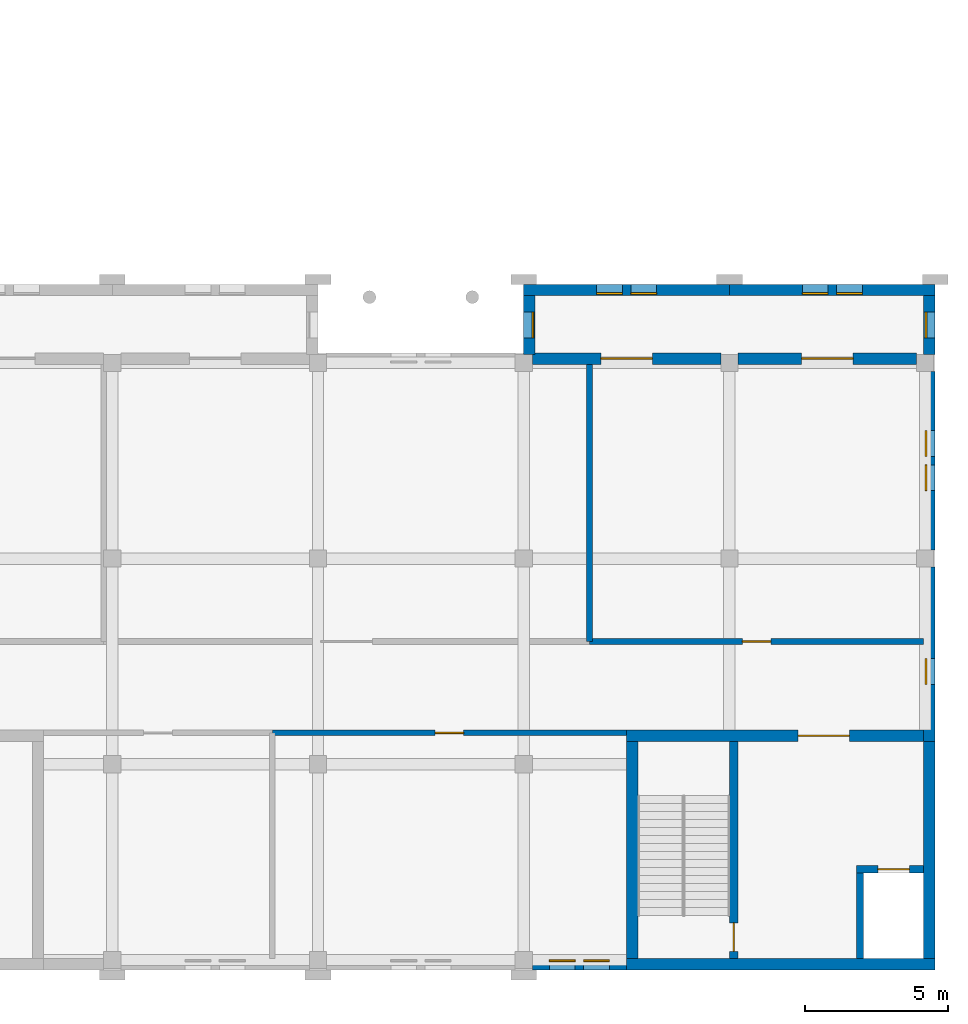
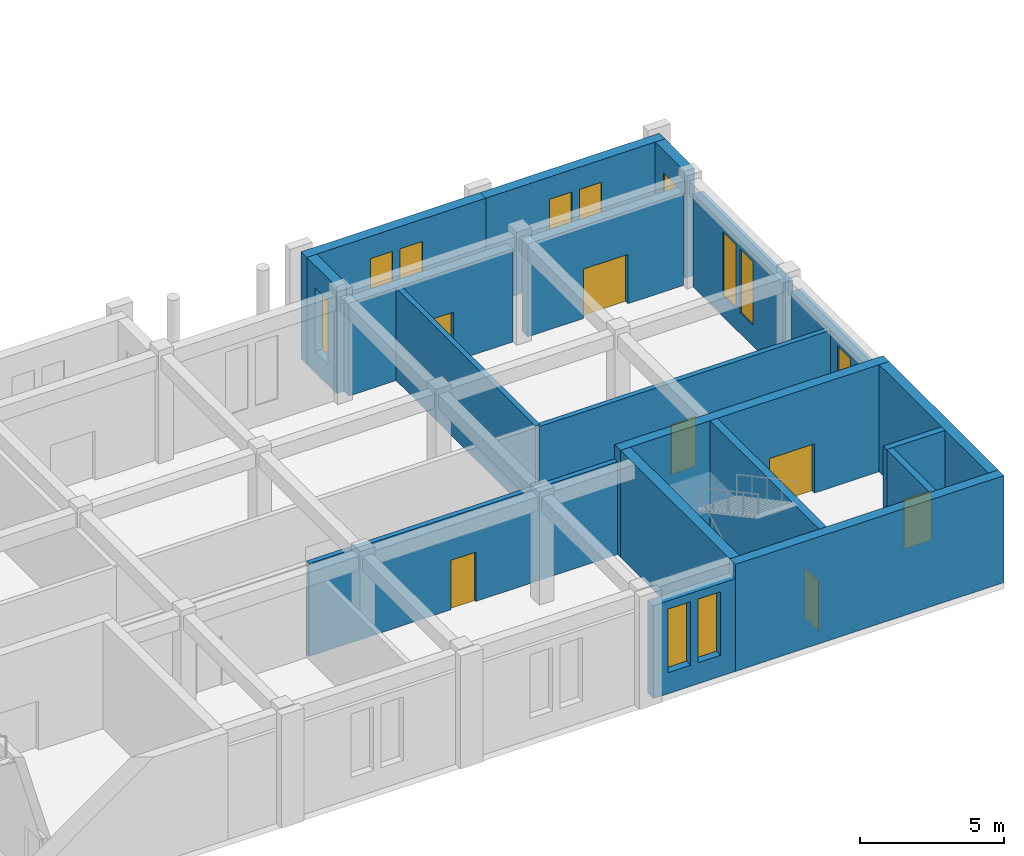
# One storey, part 139 of 149: 19 walls, 11 windows, 7 doors, 18 openings.
"""IFC4 building model written with IfcOpenShell, lengths in metres."""

import ifcopenshell
import ifcopenshell.guid

model = None  # the IFC model being written
_history = None  # IfcOwnerHistory: only IFC2X3 demands one
_inside = {}  # id of a spatial element -> (the spatial element, [elements in it])
_under = {}  # id of a project, library or spatial element -> (it, [spatial elements below it])
_declared = {}  # id of a project -> (the project, [libraries it declares])
_typed = {}  # id of a type object -> (the type object, [elements of that type])
_made_of = {}  # id of a material, layer set ... -> (it, [elements and type objects made of it])


def new_model(schema):
    """Start an empty IFC model of exactly this schema.

    Asked for "IFC4X3", IfcOpenShell would pick the latest addendum, in which some entities
    have other attributes; the version numbers below select the first issue.
    IFC2X3 requires an IfcOwnerHistory on every rooted entity: one is made here for all.
    """
    global model, _history
    if schema == "IFC4X3":
        model = ifcopenshell.file(schema_version=(4, 3, 0, 0))
    else:
        model = ifcopenshell.file(schema=schema)
    _inside.clear()
    _under.clear()
    _declared.clear()
    _typed.clear()
    _made_of.clear()
    _history = None
    if model.schema == "IFC2X3":
        org = make("IfcOrganization", Name="unknown")
        user = make(
            "IfcPersonAndOrganization",
            ThePerson=make("IfcPerson", FamilyName="unknown"),
            TheOrganization=org,
        )
        app = make(
            "IfcApplication",
            ApplicationDeveloper=org,
            Version="unknown",
            ApplicationFullName="unknown",
            ApplicationIdentifier="unknown",
        )
        _history = make(
            "IfcOwnerHistory",
            OwningUser=user,
            OwningApplication=app,
            ChangeAction="ADDED",
            CreationDate=0,
        )
    return model


def make(cls, **values):
    """One entity of the class cls with the attributes given. An attribute that is None is left unset."""
    return model.create_entity(
        cls, **{name: value for name, value in values.items() if value is not None}
    )


def rooted(cls, **values):
    """An entity with a GlobalId (a new one), such as an element, a storey or a relation."""
    return make(cls, GlobalId=ifcopenshell.guid.new(), OwnerHistory=_history, **values)


def si_unit(unit_type, name, prefix=None):
    """IfcSIUnit, for example si_unit("LENGTHUNIT", "METRE", prefix="MILLI")."""
    return make("IfcSIUnit", UnitType=unit_type, Prefix=prefix, Name=name)


def assignment(units):
    """IfcUnitAssignment: the units of a project."""
    return None if units is None else make("IfcUnitAssignment", Units=units)


def point(xyz):
    """IfcCartesianPoint."""
    return None if xyz is None else make("IfcCartesianPoint", Coordinates=xyz)


def direction(xyz):
    """IfcDirection."""
    return None if xyz is None else make("IfcDirection", DirectionRatios=xyz)


def frame(location, z_axis=None, x_axis=None):
    """IfcAxis2Placement3D, a coordinate frame: its origin and axes. An axis left out is left unset."""
    return make(
        "IfcAxis2Placement3D",
        Location=point(location),
        Axis=direction(z_axis),
        RefDirection=direction(x_axis),
    )


def frame_2d(location, x_axis=None):
    """IfcAxis2Placement2D, a coordinate frame in the plane: its origin and x axis."""
    return make(
        "IfcAxis2Placement2D", Location=point(location), RefDirection=direction(x_axis)
    )


def origin():
    """The frame at (0, 0, 0) with its axes left unset."""
    return frame((0.0, 0.0, 0.0))


def place(relative_to, where):
    """IfcLocalPlacement: puts the frame where relative to a parent placement (None: the world)."""
    return make(
        "IfcLocalPlacement", PlacementRelTo=relative_to, RelativePlacement=where
    )


def context(
    kind, dimensions, precision=None, world=None, true_north=None, identifier=None
):
    """IfcGeometricRepresentationContext, for example the 3D "Model" context."""
    return make(
        "IfcGeometricRepresentationContext",
        ContextIdentifier=identifier,
        ContextType=kind,
        CoordinateSpaceDimension=dimensions,
        Precision=precision,
        WorldCoordinateSystem=world,
        TrueNorth=true_north,
    )


def subcontext(parent, identifier, kind, view, scale=None):
    """IfcGeometricRepresentationSubContext, for example "Body" below "Model"."""
    return make(
        "IfcGeometricRepresentationSubContext",
        ContextIdentifier=identifier,
        ContextType=kind,
        ParentContext=parent,
        TargetScale=scale,
        TargetView=view,
    )


def project(units=None, contexts=None):
    """IfcProject with its units and contexts."""
    return rooted(
        "IfcProject",
        Name="project",
        RepresentationContexts=contexts,
        UnitsInContext=assignment(units),
    )


def spatial(cls, under=None, at=None, **own):
    """A site, building, storey or space (cls), placed at a placement, below another one or the project."""
    s = rooted(cls, ObjectPlacement=at, **own)
    if under is not None:
        _under.setdefault(under.id(), (under, []))[1].append(s)
    return s


def profile(cls, at=None, kind="AREA", **sizes):
    """A parametric profile (cls). Its sizes go by their IFC names, for example OverallWidth=200.0."""
    return make(cls, ProfileType=kind, Position=at, **sizes)


def rectangle(**sizes):
    """IfcRectangleProfileDef."""
    return profile("IfcRectangleProfileDef", **sizes)


def extrude(swept, where, along, depth):
    """IfcExtrudedAreaSolid: the profile swept, set in the frame where, extruded along a direction by depth."""
    return make(
        "IfcExtrudedAreaSolid",
        SweptArea=swept,
        Position=where,
        ExtrudedDirection=direction(along),
        Depth=depth,
    )


def shape(context_of_items, identifier, shape_type, items):
    """IfcShapeRepresentation: the items that make up one representation, for example the "Body"."""
    return make(
        "IfcShapeRepresentation",
        ContextOfItems=context_of_items,
        RepresentationIdentifier=identifier,
        RepresentationType=shape_type,
        Items=items,
    )


def material(Name=None, Category=None):
    """IfcMaterial."""
    return make("IfcMaterial", Name=Name, Category=Category)


def layer(
    of_material, thickness, ventilated=None, Name=None, Category=None, Priority=None
):
    """IfcMaterialLayer: one layer of a wall or slab, of a material (None: an air gap)."""
    return make(
        "IfcMaterialLayer",
        Material=of_material,
        LayerThickness=thickness,
        IsVentilated=ventilated,
        Name=Name,
        Category=Category,
        Priority=Priority,
    )


def layer_set(layers, Name=None):
    """IfcMaterialLayerSet."""
    return make("IfcMaterialLayerSet", MaterialLayers=layers, LayerSetName=Name)


def made_of(thing, what):
    """Note that an element or type object is made of a material, layer set ...; save() writes the relation."""
    if what is not None:
        _made_of.setdefault(what.id(), (what, []))[1].append(thing)
    return thing


def type_object(cls, material=None, **own):
    """A type object (cls), such as IfcWallType, which elements share."""
    return made_of(rooted(cls, **own), material)


def element(
    cls,
    number,
    at=None,
    inside=None,
    cuts=None,
    type_object=None,
    material=None,
    context=None,
    identifier="Body",
    shape_type=None,
    held_by="IfcProductDefinitionShape",
    body=None,
    shapes=None,
    **own,
):
    """One element of the class cls, such as IfcWall. Its Tag is "e" and its number.

    at: its placement. inside: the storey or other place that contains it. cuts: it is an
    opening in that element (IfcRelVoidsElement). A single representation is given by context,
    identifier, shape_type and body (its items); several are given by shapes. held_by: the class
    of the entity that holds the representations. save() writes the other relations.
    """
    e = rooted(cls, Tag="e%d" % number, ObjectPlacement=at, **own)
    if body is not None:
        shapes = [shape(context, identifier, shape_type, body)]
    if shapes is not None:
        e.Representation = make(held_by, Representations=shapes)
    if inside is not None:
        _inside.setdefault(inside.id(), (inside, []))[1].append(e)
    if cuts is not None:
        rooted(
            "IfcRelVoidsElement", RelatingBuildingElement=cuts, RelatedOpeningElement=e
        )
    if type_object is not None:
        _typed.setdefault(type_object.id(), (type_object, []))[1].append(e)
    return made_of(e, material)


def fill(opening, filler):
    """IfcRelFillsElement: the door or window that sits in an opening."""
    return rooted(
        "IfcRelFillsElement",
        RelatingOpeningElement=opening,
        RelatedBuildingElement=filler,
    )


def aggregate(whole, parts):
    """IfcRelAggregates: a whole, such as a stair, and the parts it consists of."""
    return rooted("IfcRelAggregates", RelatingObject=whole, RelatedObjects=parts)


def save(model, path):
    """Write the relations noted so far, then the file.

    IfcRelAggregates (storeys below a building ...), IfcRelContainedInSpatialStructure (elements
    in a storey), IfcRelDefinesByType, IfcRelAssociatesMaterial and IfcRelDeclares: one each for
    every whole, place, type object, material and project.
    """
    for whole, parts in _under.values():
        aggregate(whole, parts)
    for where, things in _inside.values():
        rooted(
            "IfcRelContainedInSpatialStructure",
            RelatedElements=things,
            RelatingStructure=where,
        )
    for kind, things in _typed.values():
        rooted("IfcRelDefinesByType", RelatedObjects=things, RelatingType=kind)
    for what, things in _made_of.values():
        rooted("IfcRelAssociatesMaterial", RelatedObjects=things, RelatingMaterial=what)
    for by, libraries in _declared.values():
        rooted("IfcRelDeclares", RelatingContext=by, RelatedDefinitions=libraries)
    model.write(path)


model = new_model("IFC4")

# Units and contexts
model_context = context("Model", 3, precision=1e-05, world=origin(), true_north=direction((0.0, 1.0)))
body_context = subcontext(model_context, "Body", "Model", "MODEL_VIEW")
ifc_project = project(units=[si_unit("LENGTHUNIT", "METRE"), si_unit("AREAUNIT", "SQUARE_METRE"), si_unit("VOLUMEUNIT", "CUBIC_METRE"), si_unit("PLANEANGLEUNIT", "RADIAN"), si_unit("MASSUNIT", "GRAM", prefix="KILO")], contexts=[model_context])

# Site, building, storey
site_placement = place(None, origin())
site = spatial("IfcSite", under=ifc_project, at=site_placement, CompositionType="ELEMENT")
building_placement = place(site_placement, origin())
building = spatial("IfcBuilding", under=site, at=building_placement, Name="Alderwick Market Hall", CompositionType="ELEMENT")
storey_placement = place(building_placement, frame((0.0, 0.0, 9.60009765625)))
storey = spatial("IfcBuildingStorey", under=building, at=storey_placement, Name="L01", CompositionType="ELEMENT", Elevation=9.60009765625)

# Wall, opening, door
ifc_material_1 = material(Name="Face brick", Category="masonry")
ifc_layer_1 = layer(ifc_material_1, 0.39990234375)
ifc_layer_set_1 = layer_set([ifc_layer_1], Name="Face brick")
wall_type_1 = type_object("IfcWallType", Name="C Brick Pier Wall 400", PredefinedType="SOLIDWALL", material=ifc_layer_set_1)
wall_1_placement = place(storey_placement, frame((216.300048828125, 28.60009765625, 0.0), z_axis=(0.0, 0.0, 1.0), x_axis=(1.0, 0.0, 0.0)))
wall_1 = element("IfcWall", 1, at=wall_1_placement, inside=storey, type_object=wall_type_1, Name="C.wall.L01.fac.front.09", PredefinedType="SOLIDWALL", context=body_context, shape_type="SweptSolid", body=[
    extrude(rectangle(XDim=6.599853515625, YDim=0.39990234375, at=frame_2d((3.2998046875, 0.0))), origin(), (0.0, 0.0, 1.0), 3.949951171875),
])
opening_1_placement = place(wall_1_placement, frame((2.39990234375, 0.0, 0.0)))
opening_1 = element("IfcOpeningElement", 2, at=opening_1_placement, cuts=wall_1, Name="Opening C-D012", PredefinedType="OPENING", context=body_context, shape_type="SweptSolid", body=[
    extrude(rectangle(XDim=1.800048828125, YDim=2.10009765625, at=frame_2d((0.89990234375, 1.050048828125))), frame((0.0, 0.2099609375, 0.0), z_axis=(0.0, -1.0, 0.0), x_axis=(1.0, 0.0, 0.0)), (0.0, 0.0, 1.0), 0.419921875),
])
ifc_material_2 = material(Name="Timber, solid core", Category="wood")
door_type_1 = type_object("IfcDoorType", Name="C Door Pair 1800x2100", OperationType="NOTDEFINED", PredefinedType="DOOR", material=ifc_material_2)
door_1_placement = place(opening_1_placement, origin())
door_1 = element("IfcDoor", 3, at=door_1_placement, inside=storey, type_object=door_type_1, Name="C.door.L01.012", OperationType="NOTDEFINED", OverallHeight=2.10009765625, OverallWidth=1.800048828125, PredefinedType="DOOR", context=body_context, shape_type="SweptSolid", body=[
    extrude(rectangle(XDim=1.800048828125, YDim=2.10009765625, at=frame_2d((0.89990234375, 1.050048828125))), frame((0.0, 0.02490234375, 0.0), z_axis=(0.0, -1.0, 0.0), x_axis=(1.0, 0.0, 0.0)), (0.0, 0.0, 1.0), 0.050048828125),
])
fill(opening_1, door_1)

wall_2_placement = place(storey_placement, frame((223.5, 28.60009765625, 0.0), z_axis=(0.0, 0.0, 1.0), x_axis=(1.0, 0.0, 0.0)))
wall_2 = element("IfcWall", 4, at=wall_2_placement, inside=storey, type_object=wall_type_1, Name="C.wall.L01.fac.front.10", PredefinedType="SOLIDWALL", context=body_context, shape_type="SweptSolid", body=[
    extrude(rectangle(XDim=6.25, YDim=0.39990234375, at=frame_2d((3.125, 0.0))), origin(), (0.0, 0.0, 1.0), 3.949951171875),
])
opening_2_placement = place(wall_2_placement, frame((2.22509765625, 0.0, 0.0)))
opening_2 = element("IfcOpeningElement", 5, at=opening_2_placement, cuts=wall_2, Name="Opening C-D013", PredefinedType="OPENING", context=body_context, shape_type="SweptSolid", body=[
    extrude(rectangle(XDim=1.800048828125, YDim=2.10009765625, at=frame_2d((0.89990234375, 1.050048828125))), frame((0.0, 0.2099609375, 0.0), z_axis=(0.0, -1.0, 0.0), x_axis=(1.0, 0.0, 0.0)), (0.0, 0.0, 1.0), 0.419921875),
])
door_2_placement = place(opening_2_placement, origin())
door_2 = element("IfcDoor", 6, at=door_2_placement, inside=storey, type_object=door_type_1, Name="C.door.L01.013", OperationType="NOTDEFINED", OverallHeight=2.10009765625, OverallWidth=1.800048828125, PredefinedType="DOOR", context=body_context, shape_type="SweptSolid", body=[
    extrude(rectangle(XDim=1.800048828125, YDim=2.10009765625, at=frame_2d((0.89990234375, 1.050048828125))), frame((0.0, 0.02490234375, 0.0), z_axis=(0.0, -1.0, 0.0), x_axis=(1.0, 0.0, 0.0)), (0.0, 0.0, 1.0), 0.050048828125),
])
fill(opening_2, door_2)

# Wall, openings, windows
wall_3_placement = place(storey_placement, frame((219.60009765625, 7.39990234375, 0.0), z_axis=(0.0, 0.0, 1.0), x_axis=(-1.0, 0.0, 0.0)))
wall_3 = element("IfcWall", 7, at=wall_3_placement, inside=storey, type_object=wall_type_1, Name="C.wall.L01.fac.back.10", PredefinedType="SOLIDWALL", context=body_context, shape_type="SweptSolid", body=[
    extrude(rectangle(XDim=3.300048828125, YDim=0.39990234375, at=frame_2d((1.64990234375, 0.0))), origin(), (0.0, 0.0, 1.0), 3.949951171875),
])
opening_3_placement = place(wall_3_placement, frame((0.60009765625, 0.0, 0.89990234375)))
opening_3 = element("IfcOpeningElement", 8, at=opening_3_placement, cuts=wall_3, Name="Opening C-W049", PredefinedType="OPENING", context=body_context, shape_type="SweptSolid", body=[
    extrude(rectangle(XDim=0.89990234375, YDim=2.699951171875, at=frame_2d((0.449951171875, 1.35009765625))), frame((0.0, 0.2099609375, 0.0), z_axis=(0.0, -1.0, 0.0), x_axis=(1.0, 0.0, 0.0)), (0.0, 0.0, 1.0), 0.419921875),
])
opening_4_placement = place(wall_3_placement, frame((1.800048828125, 0.0, 0.89990234375)))
opening_4 = element("IfcOpeningElement", 9, at=opening_4_placement, cuts=wall_3, Name="Opening C-W050", PredefinedType="OPENING", context=body_context, shape_type="SweptSolid", body=[
    extrude(rectangle(XDim=0.89990234375, YDim=2.699951171875, at=frame_2d((0.449951171875, 1.35009765625))), frame((0.0, 0.2099609375, 0.0), z_axis=(0.0, -1.0, 0.0), x_axis=(1.0, 0.0, 0.0)), (0.0, 0.0, 1.0), 0.419921875),
])
ifc_material_3 = material(Name="Aluminium frame, double glazing", Category="aluminium")
window_type = type_object("IfcWindowType", Name="C Paired Window 900x2700", PartitioningType="SINGLE_PANEL", PredefinedType="WINDOW", material=ifc_material_3)
window_1_placement = place(opening_3_placement, origin())
window_1 = element("IfcWindow", 10, at=window_1_placement, inside=storey, type_object=window_type, Name="C.win.L01.049", OverallHeight=2.699951171875, OverallWidth=0.89990234375, PartitioningType="SINGLE_PANEL", PredefinedType="WINDOW", context=body_context, shape_type="SweptSolid", body=[
    extrude(rectangle(XDim=0.89990234375, YDim=2.699951171875, at=frame_2d((0.449951171875, 1.35009765625))), frame((0.0, -0.090087890625, 0.0), z_axis=(0.0, -1.0, 0.0), x_axis=(1.0, 0.0, 0.0)), (0.0, 0.0, 1.0), 0.06005859375),
])
fill(opening_3, window_1)
window_2_placement = place(opening_4_placement, origin())
window_2 = element("IfcWindow", 11, at=window_2_placement, inside=storey, type_object=window_type, Name="C.win.L01.050", OverallHeight=2.699951171875, OverallWidth=0.89990234375, PartitioningType="SINGLE_PANEL", PredefinedType="WINDOW", context=body_context, shape_type="SweptSolid", body=[
    extrude(rectangle(XDim=0.89990234375, YDim=2.699951171875, at=frame_2d((0.449951171875, 1.35009765625))), frame((0.0, -0.090087890625, 0.0), z_axis=(0.0, -1.0, 0.0), x_axis=(1.0, 0.0, 0.0)), (0.0, 0.0, 1.0), 0.06005859375),
])
fill(opening_4, window_2)

wall_4_placement = place(storey_placement, frame((216.0, 31.0, 0.0), z_axis=(0.0, 0.0, 1.0), x_axis=(1.0, 0.0, 0.0)))
wall_4 = element("IfcWall", 12, at=wall_4_placement, inside=storey, type_object=wall_type_1, Name="C.wall.L01.pav2.front.01", PredefinedType="SOLIDWALL", context=body_context, shape_type="SweptSolid", body=[
    extrude(rectangle(XDim=7.199951171875, YDim=0.39990234375, at=frame_2d((3.60009765625, 0.0))), origin(), (0.0, 0.0, 1.0), 4.5498046875),
])
opening_5_placement = place(wall_4_placement, frame((2.550048828125, 0.0, 0.89990234375)))
opening_5 = element("IfcOpeningElement", 13, at=opening_5_placement, cuts=wall_4, Name="Opening C-W094", PredefinedType="OPENING", context=body_context, shape_type="SweptSolid", body=[
    extrude(rectangle(XDim=0.89990234375, YDim=2.699951171875, at=frame_2d((0.449951171875, 1.35009765625))), frame((0.0, 0.2099609375, 0.0), z_axis=(0.0, -1.0, 0.0), x_axis=(1.0, 0.0, 0.0)), (0.0, 0.0, 1.0), 0.419921875),
])
opening_6_placement = place(wall_4_placement, frame((3.75, 0.0, 0.89990234375)))
opening_6 = element("IfcOpeningElement", 14, at=opening_6_placement, cuts=wall_4, Name="Opening C-W095", PredefinedType="OPENING", context=body_context, shape_type="SweptSolid", body=[
    extrude(rectangle(XDim=0.89990234375, YDim=2.699951171875, at=frame_2d((0.449951171875, 1.35009765625))), frame((0.0, 0.2099609375, 0.0), z_axis=(0.0, -1.0, 0.0), x_axis=(1.0, 0.0, 0.0)), (0.0, 0.0, 1.0), 0.419921875),
])
window_3_placement = place(opening_5_placement, origin())
window_3 = element("IfcWindow", 15, at=window_3_placement, inside=storey, type_object=window_type, Name="C.win.L01.094", OverallHeight=2.699951171875, OverallWidth=0.89990234375, PartitioningType="SINGLE_PANEL", PredefinedType="WINDOW", context=body_context, shape_type="SweptSolid", body=[
    extrude(rectangle(XDim=0.89990234375, YDim=2.699951171875, at=frame_2d((0.449951171875, 1.35009765625))), frame((0.0, -0.090087890625, 0.0), z_axis=(0.0, -1.0, 0.0), x_axis=(1.0, 0.0, 0.0)), (0.0, 0.0, 1.0), 0.06005859375),
])
fill(opening_5, window_3)
window_4_placement = place(opening_6_placement, origin())
window_4 = element("IfcWindow", 16, at=window_4_placement, inside=storey, type_object=window_type, Name="C.win.L01.095", OverallHeight=2.699951171875, OverallWidth=0.89990234375, PartitioningType="SINGLE_PANEL", PredefinedType="WINDOW", context=body_context, shape_type="SweptSolid", body=[
    extrude(rectangle(XDim=0.89990234375, YDim=2.699951171875, at=frame_2d((0.449951171875, 1.35009765625))), frame((0.0, -0.090087890625, 0.0), z_axis=(0.0, -1.0, 0.0), x_axis=(1.0, 0.0, 0.0)), (0.0, 0.0, 1.0), 0.06005859375),
])
fill(opening_6, window_4)

wall_5_placement = place(storey_placement, frame((223.199951171875, 31.0, 0.0), z_axis=(0.0, 0.0, 1.0), x_axis=(1.0, 0.0, 0.0)))
wall_5 = element("IfcWall", 17, at=wall_5_placement, inside=storey, type_object=wall_type_1, Name="C.wall.L01.pav2.front.02", PredefinedType="SOLIDWALL", context=body_context, shape_type="SweptSolid", body=[
    extrude(rectangle(XDim=7.199951171875, YDim=0.39990234375, at=frame_2d((3.60009765625, 0.0))), origin(), (0.0, 0.0, 1.0), 4.5498046875),
])
opening_7_placement = place(wall_5_placement, frame((2.550048828125, 0.0, 0.89990234375)))
opening_7 = element("IfcOpeningElement", 18, at=opening_7_placement, cuts=wall_5, Name="Opening C-W096", PredefinedType="OPENING", context=body_context, shape_type="SweptSolid", body=[
    extrude(rectangle(XDim=0.89990234375, YDim=2.699951171875, at=frame_2d((0.449951171875, 1.35009765625))), frame((0.0, 0.2099609375, 0.0), z_axis=(0.0, -1.0, 0.0), x_axis=(1.0, 0.0, 0.0)), (0.0, 0.0, 1.0), 0.419921875),
])
opening_8_placement = place(wall_5_placement, frame((3.75, 0.0, 0.89990234375)))
opening_8 = element("IfcOpeningElement", 19, at=opening_8_placement, cuts=wall_5, Name="Opening C-W097", PredefinedType="OPENING", context=body_context, shape_type="SweptSolid", body=[
    extrude(rectangle(XDim=0.89990234375, YDim=2.699951171875, at=frame_2d((0.449951171875, 1.35009765625))), frame((0.0, 0.2099609375, 0.0), z_axis=(0.0, -1.0, 0.0), x_axis=(1.0, 0.0, 0.0)), (0.0, 0.0, 1.0), 0.419921875),
])
window_5_placement = place(opening_7_placement, origin())
window_5 = element("IfcWindow", 20, at=window_5_placement, inside=storey, type_object=window_type, Name="C.win.L01.096", OverallHeight=2.699951171875, OverallWidth=0.89990234375, PartitioningType="SINGLE_PANEL", PredefinedType="WINDOW", context=body_context, shape_type="SweptSolid", body=[
    extrude(rectangle(XDim=0.89990234375, YDim=2.699951171875, at=frame_2d((0.449951171875, 1.35009765625))), frame((0.0, -0.090087890625, 0.0), z_axis=(0.0, -1.0, 0.0), x_axis=(1.0, 0.0, 0.0)), (0.0, 0.0, 1.0), 0.06005859375),
])
fill(opening_7, window_5)
window_6_placement = place(opening_8_placement, origin())
window_6 = element("IfcWindow", 21, at=window_6_placement, inside=storey, type_object=window_type, Name="C.win.L01.097", OverallHeight=2.699951171875, OverallWidth=0.89990234375, PartitioningType="SINGLE_PANEL", PredefinedType="WINDOW", context=body_context, shape_type="SweptSolid", body=[
    extrude(rectangle(XDim=0.89990234375, YDim=2.699951171875, at=frame_2d((0.449951171875, 1.35009765625))), frame((0.0, -0.090087890625, 0.0), z_axis=(0.0, -1.0, 0.0), x_axis=(1.0, 0.0, 0.0)), (0.0, 0.0, 1.0), 0.06005859375),
])
fill(opening_8, window_6)

# Wall, opening, window
wall_6_placement = place(storey_placement, frame((216.199951171875, 28.75, 0.0), z_axis=(0.0, 0.0, 1.0), x_axis=(0.0, 1.0, 0.0)))
wall_6 = element("IfcWall", 22, at=wall_6_placement, inside=storey, type_object=wall_type_1, Name="C.wall.L01.pav2.west.01", PredefinedType="SOLIDWALL", context=body_context, shape_type="SweptSolid", body=[
    extrude(rectangle(XDim=2.050048828125, YDim=0.39990234375, at=frame_2d((1.02490234375, 0.0))), origin(), (0.0, 0.0, 1.0), 4.5498046875),
])
opening_9_placement = place(wall_6_placement, frame((0.574951171875, 0.0, 0.89990234375)))
opening_9 = element("IfcOpeningElement", 23, at=opening_9_placement, cuts=wall_6, Name="Opening C-W098", PredefinedType="OPENING", context=body_context, shape_type="SweptSolid", body=[
    extrude(rectangle(XDim=0.89990234375, YDim=2.699951171875, at=frame_2d((0.449951171875, 1.35009765625))), frame((0.0, 0.2099609375, 0.0), z_axis=(0.0, -1.0, 0.0), x_axis=(1.0, 0.0, 0.0)), (0.0, 0.0, 1.0), 0.419921875),
])
window_7_placement = place(opening_9_placement, origin())
window_7 = element("IfcWindow", 24, at=window_7_placement, inside=storey, type_object=window_type, Name="C.win.L01.098", OverallHeight=2.699951171875, OverallWidth=0.89990234375, PartitioningType="SINGLE_PANEL", PredefinedType="WINDOW", context=body_context, shape_type="SweptSolid", body=[
    extrude(rectangle(XDim=0.89990234375, YDim=2.699951171875, at=frame_2d((0.449951171875, 1.35009765625))), frame((0.0, -0.090087890625, 0.0), z_axis=(0.0, -1.0, 0.0), x_axis=(1.0, 0.0, 0.0)), (0.0, 0.0, 1.0), 0.06005859375),
])
fill(opening_9, window_7)

wall_7_placement = place(storey_placement, frame((230.199951171875, 30.800048828125, 0.0), z_axis=(0.0, 0.0, 1.0), x_axis=(0.0, -1.0, 0.0)))
wall_7 = element("IfcWall", 25, at=wall_7_placement, inside=storey, type_object=wall_type_1, Name="C.wall.L01.pav2.east.01", PredefinedType="SOLIDWALL", context=body_context, shape_type="SweptSolid", body=[
    extrude(rectangle(XDim=2.050048828125, YDim=0.39990234375, at=frame_2d((1.02490234375, 0.0))), origin(), (0.0, 0.0, 1.0), 4.5498046875),
])
opening_10_placement = place(wall_7_placement, frame((0.574951171875, 0.0, 0.89990234375)))
opening_10 = element("IfcOpeningElement", 26, at=opening_10_placement, cuts=wall_7, Name="Opening C-W099", PredefinedType="OPENING", context=body_context, shape_type="SweptSolid", body=[
    extrude(rectangle(XDim=0.89990234375, YDim=2.699951171875, at=frame_2d((0.449951171875, 1.35009765625))), frame((0.0, 0.2099609375, 0.0), z_axis=(0.0, -1.0, 0.0), x_axis=(1.0, 0.0, 0.0)), (0.0, 0.0, 1.0), 0.419921875),
])
window_8_placement = place(opening_10_placement, origin())
window_8 = element("IfcWindow", 27, at=window_8_placement, inside=storey, type_object=window_type, Name="C.win.L01.099", OverallHeight=2.699951171875, OverallWidth=0.89990234375, PartitioningType="SINGLE_PANEL", PredefinedType="WINDOW", context=body_context, shape_type="SweptSolid", body=[
    extrude(rectangle(XDim=0.89990234375, YDim=2.699951171875, at=frame_2d((0.449951171875, 1.35009765625))), frame((0.0, -0.090087890625, 0.0), z_axis=(0.0, -1.0, 0.0), x_axis=(1.0, 0.0, 0.0)), (0.0, 0.0, 1.0), 0.06005859375),
])
fill(opening_10, window_8)

# Walls
ifc_material_4 = material(Name="Concrete 5000 psi (f'c 35 MPa)", Category="concrete")
ifc_layer_2 = layer(ifc_material_4, 0.39990234375)
ifc_layer_set_2 = layer_set([ifc_layer_2], Name="Concrete 5000 psi (f'c 35 MPa)")
wall_type_2 = type_object("IfcWallType", Name="C Core Wall Concrete 5000 psi 400", PredefinedType="SHEAR", material=ifc_layer_set_2)
wall_8_placement = place(storey_placement, frame((230.39990234375, 7.39990234375, 0.0), z_axis=(0.0, 0.0, 1.0), x_axis=(-1.0, 0.0, 0.0)))
element("IfcWall", 28, at=wall_8_placement, inside=storey, type_object=wall_type_2, Name="C.wall.L01.fac.back.11", PredefinedType="SHEAR", context=body_context, shape_type="SweptSolid", body=[
    extrude(rectangle(XDim=10.7998046875, YDim=0.39990234375, at=frame_2d((5.39990234375, 0.0))), origin(), (0.0, 0.0, 1.0), 4.5498046875),
])
wall_9_placement = place(storey_placement, frame((230.199951171875, 15.199951171875, 0.0), z_axis=(0.0, 0.0, 1.0), x_axis=(0.0, -1.0, 0.0)))
element("IfcWall", 29, at=wall_9_placement, inside=storey, type_object=wall_type_2, Name="C.wall.L01.fac.east.03", PredefinedType="SHEAR", context=body_context, shape_type="SweptSolid", body=[
    extrude(rectangle(XDim=7.599853515625, YDim=0.39990234375, at=frame_2d((3.7998046875, 0.0))), origin(), (0.0, 0.0, 1.0), 4.5498046875),
])

# Wall, opening, door
wall_10_placement = place(storey_placement, frame((219.60009765625, 15.39990234375, 0.0), z_axis=(0.0, 0.0, 1.0), x_axis=(1.0, 0.0, 0.0)))
wall_10 = element("IfcWall", 30, at=wall_10_placement, inside=storey, type_object=wall_type_2, Name="C.wall.L01.core.C.front.01", PredefinedType="SHEAR", context=body_context, shape_type="SweptSolid", body=[
    extrude(rectangle(XDim=10.7998046875, YDim=0.39990234375, at=frame_2d((5.39990234375, 0.0))), origin(), (0.0, 0.0, 1.0), 4.5498046875),
])
opening_11_placement = place(wall_10_placement, frame((6.0, 0.0, 0.0)))
opening_11 = element("IfcOpeningElement", 31, at=opening_11_placement, cuts=wall_10, Name="Opening C-D060", PredefinedType="OPENING", context=body_context, shape_type="SweptSolid", body=[
    extrude(rectangle(XDim=1.800048828125, YDim=2.10009765625, at=frame_2d((0.89990234375, 1.050048828125))), frame((0.0, 0.2099609375, 0.0), z_axis=(0.0, -1.0, 0.0), x_axis=(1.0, 0.0, 0.0)), (0.0, 0.0, 1.0), 0.419921875),
])
ifc_material_5 = material(Name="Steel, insulated", Category="steel")
door_type_2 = type_object("IfcDoorType", Name="C Fire Door Pair FD90 1800x2100", OperationType="NOTDEFINED", PredefinedType="DOOR", material=ifc_material_5)
door_3_placement = place(opening_11_placement, origin())
door_3 = element("IfcDoor", 32, at=door_3_placement, inside=storey, type_object=door_type_2, Name="C.door.L01.060", OperationType="NOTDEFINED", OverallHeight=2.10009765625, OverallWidth=1.800048828125, PredefinedType="DOOR", context=body_context, shape_type="SweptSolid", body=[
    extrude(rectangle(XDim=1.800048828125, YDim=2.10009765625, at=frame_2d((0.89990234375, 1.050048828125))), frame((0.0, 0.02490234375, 0.0), z_axis=(0.0, -1.0, 0.0), x_axis=(1.0, 0.0, 0.0)), (0.0, 0.0, 1.0), 0.050048828125),
])
fill(opening_11, door_3)

# Wall
wall_11_placement = place(storey_placement, frame((219.800048828125, 15.199951171875, 0.0), z_axis=(0.0, 0.0, 1.0), x_axis=(0.0, -1.0, 0.0)))
element("IfcWall", 33, at=wall_11_placement, inside=storey, type_object=wall_type_2, Name="C.wall.L01.core.C.west.01", PredefinedType="SHEAR", context=body_context, shape_type="SweptSolid", body=[
    extrude(rectangle(XDim=7.599853515625, YDim=0.39990234375, at=frame_2d((3.7998046875, 0.0))), origin(), (0.0, 0.0, 1.0), 4.5498046875),
])

# Wall, openings, windows
ifc_layer_3 = layer(ifc_material_4, 0.39990234375)
ifc_layer_set_3 = layer_set([ifc_layer_3], Name="Concrete 5000 psi (f'c 35 MPa)")
wall_type_3 = type_object("IfcWallType", Name="C End Shear Wall Concrete 5000 psi 400", PredefinedType="SHEAR", material=ifc_layer_set_3)
wall_12_placement = place(storey_placement, frame((230.199951171875, 28.14990234375, 0.0), z_axis=(0.0, 0.0, 1.0), x_axis=(0.0, -1.0, 0.0)))
wall_12 = element("IfcWall", 34, at=wall_12_placement, inside=storey, type_object=wall_type_3, Name="C.wall.L01.fac.east.01", PredefinedType="SHEAR", context=body_context, shape_type="SweptSolid", body=[
    extrude(rectangle(XDim=6.25, YDim=0.39990234375, at=frame_2d((3.125, 0.0))), origin(), (0.0, 0.0, 1.0), 3.949951171875),
])
opening_12_placement = place(wall_12_placement, frame((2.074951171875, 0.0, 0.89990234375)))
opening_12 = element("IfcOpeningElement", 35, at=opening_12_placement, cuts=wall_12, Name="Opening C-W051", PredefinedType="OPENING", context=body_context, shape_type="SweptSolid", body=[
    extrude(rectangle(XDim=0.89990234375, YDim=2.699951171875, at=frame_2d((0.449951171875, 1.35009765625))), frame((0.0, 0.2099609375, 0.0), z_axis=(0.0, -1.0, 0.0), x_axis=(1.0, 0.0, 0.0)), (0.0, 0.0, 1.0), 0.419921875),
])
opening_13_placement = place(wall_12_placement, frame((3.27490234375, 0.0, 0.89990234375)))
opening_13 = element("IfcOpeningElement", 36, at=opening_13_placement, cuts=wall_12, Name="Opening C-W052", PredefinedType="OPENING", context=body_context, shape_type="SweptSolid", body=[
    extrude(rectangle(XDim=0.89990234375, YDim=2.699951171875, at=frame_2d((0.449951171875, 1.35009765625))), frame((0.0, 0.2099609375, 0.0), z_axis=(0.0, -1.0, 0.0), x_axis=(1.0, 0.0, 0.0)), (0.0, 0.0, 1.0), 0.419921875),
])
window_9_placement = place(opening_12_placement, origin())
window_9 = element("IfcWindow", 37, at=window_9_placement, inside=storey, type_object=window_type, Name="C.win.L01.051", OverallHeight=2.699951171875, OverallWidth=0.89990234375, PartitioningType="SINGLE_PANEL", PredefinedType="WINDOW", context=body_context, shape_type="SweptSolid", body=[
    extrude(rectangle(XDim=0.89990234375, YDim=2.699951171875, at=frame_2d((0.449951171875, 1.35009765625))), frame((0.0, -0.090087890625, 0.0), z_axis=(0.0, -1.0, 0.0), x_axis=(1.0, 0.0, 0.0)), (0.0, 0.0, 1.0), 0.06005859375),
])
fill(opening_12, window_9)
window_10_placement = place(opening_13_placement, origin())
window_10 = element("IfcWindow", 38, at=window_10_placement, inside=storey, type_object=window_type, Name="C.win.L01.052", OverallHeight=2.699951171875, OverallWidth=0.89990234375, PartitioningType="SINGLE_PANEL", PredefinedType="WINDOW", context=body_context, shape_type="SweptSolid", body=[
    extrude(rectangle(XDim=0.89990234375, YDim=2.699951171875, at=frame_2d((0.449951171875, 1.35009765625))), frame((0.0, -0.090087890625, 0.0), z_axis=(0.0, -1.0, 0.0), x_axis=(1.0, 0.0, 0.0)), (0.0, 0.0, 1.0), 0.06005859375),
])
fill(opening_13, window_10)

# Wall, opening, window
wall_13_placement = place(storey_placement, frame((230.199951171875, 21.300048828125, 0.0), z_axis=(0.0, 0.0, 1.0), x_axis=(0.0, -1.0, 0.0)))
wall_13 = element("IfcWall", 39, at=wall_13_placement, inside=storey, type_object=wall_type_3, Name="C.wall.L01.fac.east.02", PredefinedType="SHEAR", context=body_context, shape_type="SweptSolid", body=[
    extrude(rectangle(XDim=6.10009765625, YDim=0.39990234375, at=frame_2d((3.050048828125, 0.0))), origin(), (0.0, 0.0, 1.0), 3.949951171875),
])
opening_14_placement = place(wall_13_placement, frame((3.199951171875, 0.0, 0.89990234375)))
opening_14 = element("IfcOpeningElement", 40, at=opening_14_placement, cuts=wall_13, Name="Opening C-W053", PredefinedType="OPENING", context=body_context, shape_type="SweptSolid", body=[
    extrude(rectangle(XDim=0.89990234375, YDim=2.699951171875, at=frame_2d((0.449951171875, 1.35009765625))), frame((0.0, 0.2099609375, 0.0), z_axis=(0.0, -1.0, 0.0), x_axis=(1.0, 0.0, 0.0)), (0.0, 0.0, 1.0), 0.419921875),
])
window_11_placement = place(opening_14_placement, origin())
window_11 = element("IfcWindow", 41, at=window_11_placement, inside=storey, type_object=window_type, Name="C.win.L01.053", OverallHeight=2.699951171875, OverallWidth=0.89990234375, PartitioningType="SINGLE_PANEL", PredefinedType="WINDOW", context=body_context, shape_type="SweptSolid", body=[
    extrude(rectangle(XDim=0.89990234375, YDim=2.699951171875, at=frame_2d((0.449951171875, 1.35009765625))), frame((0.0, -0.090087890625, 0.0), z_axis=(0.0, -1.0, 0.0), x_axis=(1.0, 0.0, 0.0)), (0.0, 0.0, 1.0), 0.06005859375),
])
fill(opening_14, window_11)

# Walls
ifc_material_6 = material(Name="Gypsum board on steel studs", Category="steel")
ifc_layer_4 = layer(ifc_material_6, 0.199951171875)
ifc_layer_set_4 = layer_set([ifc_layer_4], Name="Gypsum board on steel studs")
wall_type_4 = type_object("IfcWallType", Name="C Fire Partition Wall 200", PredefinedType="PARTITIONING", material=ifc_layer_set_4)
wall_14_placement = place(storey_placement, frame((218.300048828125, 28.39990234375, 0.0), z_axis=(0.0, 0.0, 1.0), x_axis=(0.0, -1.0, 0.0)))
element("IfcWall", 42, at=wall_14_placement, inside=storey, type_object=wall_type_4, Name="C.wall.L01.part.019", PredefinedType="PARTITIONING", context=body_context, shape_type="SweptSolid", body=[
    extrude(rectangle(XDim=9.699951171875, YDim=0.199951171875, at=frame_2d((4.85009765625, 0.0))), origin(), (0.0, 0.0, 1.0), 3.949951171875),
])
ifc_layer_5 = layer(ifc_material_4, 0.25)
ifc_layer_set_5 = layer_set([ifc_layer_5], Name="Concrete 5000 psi (f'c 35 MPa)")
wall_type_5 = type_object("IfcWallType", Name="C Lift Shaft Wall Concrete 5000 psi 250", PredefinedType="SHEAR", material=ifc_layer_set_5)
wall_15_placement = place(storey_placement, frame((227.77490234375, 10.85009765625, 0.0), z_axis=(0.0, 0.0, 1.0), x_axis=(0.0, -1.0, 0.0)))
element("IfcWall", 43, at=wall_15_placement, inside=storey, type_object=wall_type_5, Name="C.wall.L01.core.C.shaftw.01", PredefinedType="SHEAR", context=body_context, shape_type="SweptSolid", body=[
    extrude(rectangle(XDim=3.25, YDim=0.25, at=frame_2d((1.625, 0.0))), origin(), (0.0, 0.0, 1.0), 4.5498046875),
])

# Wall, opening, door
wall_16_placement = place(storey_placement, frame((227.64990234375, 10.72509765625, 0.0), z_axis=(0.0, 0.0, 1.0), x_axis=(1.0, 0.0, 0.0)))
wall_16 = element("IfcWall", 44, at=wall_16_placement, inside=storey, type_object=wall_type_5, Name="C.wall.L01.core.C.shaftf.01", PredefinedType="SHEAR", context=body_context, shape_type="SweptSolid", body=[
    extrude(rectangle(XDim=2.35009765625, YDim=0.25, at=frame_2d((1.175048828125, 0.0))), origin(), (0.0, 0.0, 1.0), 4.5498046875),
])
opening_15_placement = place(wall_16_placement, frame((0.75, 0.0, 0.0)))
opening_15 = element("IfcOpeningElement", 45, at=opening_15_placement, cuts=wall_16, Name="Opening C-D061", PredefinedType="OPENING", context=body_context, shape_type="SweptSolid", body=[
    extrude(rectangle(XDim=1.10009765625, YDim=2.10009765625, at=frame_2d((0.550048828125, 1.050048828125))), frame((0.0, 0.135009765625, 0.0), z_axis=(0.0, -1.0, 0.0), x_axis=(1.0, 0.0, 0.0)), (0.0, 0.0, 1.0), 0.27001953125),
])
ifc_material_7 = material(Name="Stainless steel", Category="steel")
door_type_3 = type_object("IfcDoorType", Name="C Lift Landing Door 1100x2100", OperationType="SLIDING_TO_LEFT", PredefinedType="DOOR", material=ifc_material_7)
door_4_placement = place(opening_15_placement, origin())
door_4 = element("IfcDoor", 46, at=door_4_placement, inside=storey, type_object=door_type_3, Name="C.door.L01.061", OperationType="SLIDING_TO_LEFT", OverallHeight=2.10009765625, OverallWidth=1.10009765625, PredefinedType="DOOR", context=body_context, shape_type="SweptSolid", body=[
    extrude(rectangle(XDim=1.10009765625, YDim=2.10009765625, at=frame_2d((0.550048828125, 1.050048828125))), frame((0.0, 0.02490234375, 0.0), z_axis=(0.0, -1.0, 0.0), x_axis=(1.0, 0.0, 0.0)), (0.0, 0.0, 1.0), 0.050048828125),
])
fill(opening_15, door_4)

ifc_layer_6 = layer(ifc_material_6, 0.199951171875)
ifc_layer_set_6 = layer_set([ifc_layer_6], Name="Gypsum board on steel studs")
wall_type_6 = type_object("IfcWallType", Name="C Partition Wall 200", PredefinedType="PARTITIONING", material=ifc_layer_set_6)
wall_17_placement = place(storey_placement, frame((218.300048828125, 18.699951171875, 0.0), z_axis=(0.0, 0.0, 1.0), x_axis=(1.0, 0.0, 0.0)))
wall_17 = element("IfcWall", 47, at=wall_17_placement, inside=storey, type_object=wall_type_6, Name="C.wall.L01.part.004", PredefinedType="PARTITIONING", context=body_context, shape_type="SweptSolid", body=[
    extrude(rectangle(XDim=11.699951171875, YDim=0.199951171875, at=frame_2d((5.85009765625, 0.0))), origin(), (0.0, 0.0, 1.0), 3.949951171875),
])
opening_16_placement = place(wall_17_placement, frame((5.35009765625, 0.0, 0.0)))
opening_16 = element("IfcOpeningElement", 48, at=opening_16_placement, cuts=wall_17, Name="Opening C-D065", PredefinedType="OPENING", context=body_context, shape_type="SweptSolid", body=[
    extrude(rectangle(XDim=1.0, YDim=2.10009765625, at=frame_2d((0.5, 1.050048828125))), frame((0.0, 0.10986328125, 0.0), z_axis=(0.0, -1.0, 0.0), x_axis=(1.0, 0.0, 0.0)), (0.0, 0.0, 1.0), 0.219970703125),
])
door_type_4 = type_object("IfcDoorType", Name="C Door 1000x2100", OperationType="NOTDEFINED", PredefinedType="DOOR", material=ifc_material_2)
door_5_placement = place(opening_16_placement, origin())
door_5 = element("IfcDoor", 49, at=door_5_placement, inside=storey, type_object=door_type_4, Name="C.door.L01.065", OperationType="NOTDEFINED", OverallHeight=2.10009765625, OverallWidth=1.0, PredefinedType="DOOR", context=body_context, shape_type="SweptSolid", body=[
    extrude(rectangle(XDim=1.0, YDim=2.10009765625, at=frame_2d((0.5, 1.050048828125))), frame((0.0, 0.02490234375, 0.0), z_axis=(0.0, -1.0, 0.0), x_axis=(1.0, 0.0, 0.0)), (0.0, 0.0, 1.0), 0.050048828125),
])
fill(opening_16, door_5)

wall_18_placement = place(storey_placement, frame((207.199951171875, 15.5, 0.0), z_axis=(0.0, 0.0, 1.0), x_axis=(1.0, 0.0, 0.0)))
wall_18 = element("IfcWall", 50, at=wall_18_placement, inside=storey, type_object=wall_type_6, Name="C.wall.L01.part.010", PredefinedType="PARTITIONING", context=body_context, shape_type="SweptSolid", body=[
    extrude(rectangle(XDim=12.400146484375, YDim=0.199951171875, at=frame_2d((6.2001953125, 0.0))), origin(), (0.0, 0.0, 1.0), 3.949951171875),
])
opening_17_placement = place(wall_18_placement, frame((5.699951171875, 0.0, 0.0)))
opening_17 = element("IfcOpeningElement", 51, at=opening_17_placement, cuts=wall_18, Name="Opening C-D071", PredefinedType="OPENING", context=body_context, shape_type="SweptSolid", body=[
    extrude(rectangle(XDim=1.0, YDim=2.10009765625, at=frame_2d((0.5, 1.050048828125))), frame((0.0, 0.10986328125, 0.0), z_axis=(0.0, -1.0, 0.0), x_axis=(1.0, 0.0, 0.0)), (0.0, 0.0, 1.0), 0.219970703125),
])
door_6_placement = place(opening_17_placement, origin())
door_6 = element("IfcDoor", 52, at=door_6_placement, inside=storey, type_object=door_type_4, Name="C.door.L01.071", OperationType="NOTDEFINED", OverallHeight=2.10009765625, OverallWidth=1.0, PredefinedType="DOOR", context=body_context, shape_type="SweptSolid", body=[
    extrude(rectangle(XDim=1.0, YDim=2.10009765625, at=frame_2d((0.5, 1.050048828125))), frame((0.0, 0.02490234375, 0.0), z_axis=(0.0, -1.0, 0.0), x_axis=(1.0, 0.0, 0.0)), (0.0, 0.0, 1.0), 0.050048828125),
])
fill(opening_17, door_6)

ifc_layer_7 = layer(ifc_material_4, 0.300048828125)
ifc_layer_set_7 = layer_set([ifc_layer_7], Name="Concrete 5000 psi (f'c 35 MPa)")
wall_type_7 = type_object("IfcWallType", Name="C Stair Divider Wall Concrete 5000 psi 300", PredefinedType="SHEAR", material=ifc_layer_set_7)
wall_19_placement = place(storey_placement, frame((223.35009765625, 15.199951171875, 0.0), z_axis=(0.0, 0.0, 1.0), x_axis=(0.0, -1.0, 0.0)))
wall_19 = element("IfcWall", 53, at=wall_19_placement, inside=storey, type_object=wall_type_7, Name="C.wall.L01.core.C.div.01", PredefinedType="SHEAR", context=body_context, shape_type="SweptSolid", body=[
    extrude(rectangle(XDim=7.599853515625, YDim=0.300048828125, at=frame_2d((3.7998046875, 0.0))), origin(), (0.0, 0.0, 1.0), 4.5498046875),
])
opening_18_placement = place(wall_19_placement, frame((6.35009765625, 0.0, 0.0)))
opening_18 = element("IfcOpeningElement", 54, at=opening_18_placement, cuts=wall_19, Name="Opening C-D059", PredefinedType="OPENING", context=body_context, shape_type="SweptSolid", body=[
    extrude(rectangle(XDim=1.0, YDim=2.10009765625, at=frame_2d((0.5, 1.050048828125))), frame((0.0, 0.159912109375, 0.0), z_axis=(0.0, -1.0, 0.0), x_axis=(1.0, 0.0, 0.0)), (0.0, 0.0, 1.0), 0.320068359375),
])
door_type_5 = type_object("IfcDoorType", Name="C Fire Door FD90 1000x2100", OperationType="NOTDEFINED", PredefinedType="DOOR", material=ifc_material_5)
door_7_placement = place(opening_18_placement, origin())
door_7 = element("IfcDoor", 55, at=door_7_placement, inside=storey, type_object=door_type_5, Name="C.door.L01.059", OperationType="NOTDEFINED", OverallHeight=2.10009765625, OverallWidth=1.0, PredefinedType="DOOR", context=body_context, shape_type="SweptSolid", body=[
    extrude(rectangle(XDim=1.0, YDim=2.10009765625, at=frame_2d((0.5, 1.050048828125))), frame((0.0, 0.02490234375, 0.0), z_axis=(0.0, -1.0, 0.0), x_axis=(1.0, 0.0, 0.0)), (0.0, 0.0, 1.0), 0.050048828125),
])
fill(opening_18, door_7)

save(model, "model.ifc")
